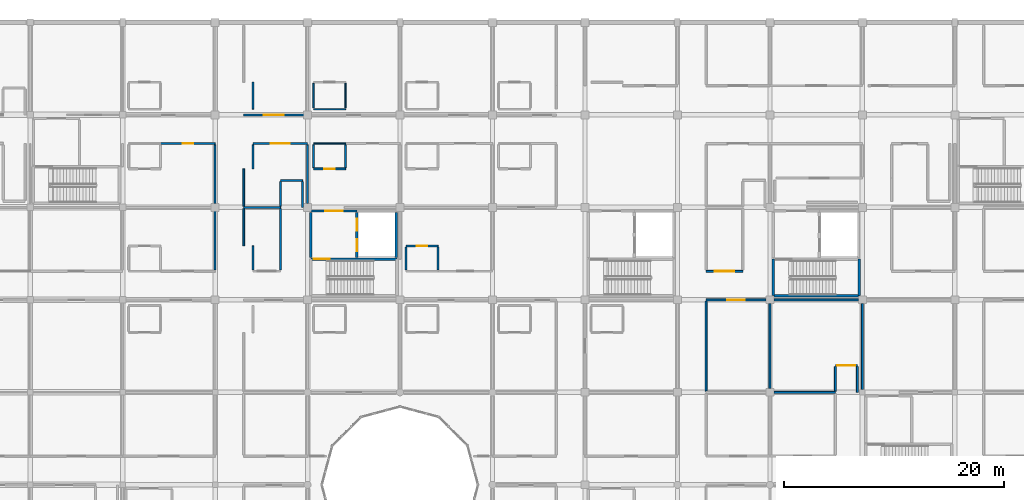
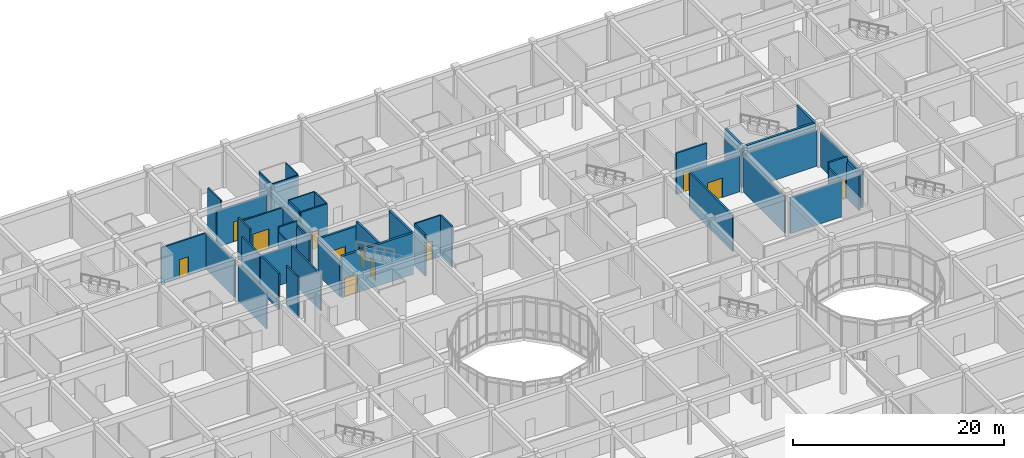
# One storey, part 104 of 134: 44 walls, 12 doors, 12 openings.
"""IFC4 building model written with IfcOpenShell, lengths in metres."""

from ifc_helpers import new_model, si_unit, direction, frame, frame_2d, origin, place, context, subcontext, project, spatial, rectangle, extrude, material, layer, layer_set, type_object, element, fill, save


model = new_model("IFC4")

# Units and contexts
model_context = context("Model", 3, precision=1e-05, world=origin(), true_north=direction((0.0, 1.0)))
body_context = subcontext(model_context, "Body", "Model", "MODEL_VIEW")
ifc_project = project(units=[si_unit("LENGTHUNIT", "METRE"), si_unit("AREAUNIT", "SQUARE_METRE"), si_unit("VOLUMEUNIT", "CUBIC_METRE"), si_unit("PLANEANGLEUNIT", "RADIAN"), si_unit("MASSUNIT", "GRAM", prefix="KILO")], contexts=[model_context])

# Site, building, storey
site_placement = place(None, origin())
site = spatial("IfcSite", under=ifc_project, at=site_placement, CompositionType="ELEMENT")
building_placement = place(site_placement, origin())
building = spatial("IfcBuilding", under=site, at=building_placement, Name="Bramfleet General Hospital", CompositionType="ELEMENT")
storey_placement = place(building_placement, frame((0.0, 0.0, 9.300048828125)))
storey = spatial("IfcBuildingStorey", under=building, at=storey_placement, Name="L02", CompositionType="ELEMENT", Elevation=9.300048828125)

# Wall, openings, doors
ifc_material_1 = material(Name="Concrete C35/45", Category="concrete")
ifc_layer_1 = layer(ifc_material_1, 0.205078125, Name="WT-IW-02")
ifc_layer_set_1 = layer_set([ifc_layer_1], Name="Concrete C35/45")
wall_type_1 = type_object("IfcWallType", Name="WT-IW-02", PredefinedType="PARTITIONING", material=ifc_layer_set_1)
wall_1_placement = place(storey_placement, frame((80.080078125, 96.239990234375, 0.0), z_axis=(0.0, 0.0, 1.0), x_axis=(0.0, 1.0, 0.0)))
wall_1 = element("IfcWall", 1, at=wall_1_placement, inside=storey, type_object=wall_type_1, Name="L02 C5 Lobby East Shaft Wall", PredefinedType="PARTITIONING", context=body_context, shape_type="SweptSolid", body=[
    extrude(rectangle(XDim=4.1201171875, YDim=0.205078125, at=frame_2d((2.06005859375, 0.0))), origin(), (0.0, 0.0, 1.0), 4.77001953125),
])
opening_1_placement = place(wall_1_placement, frame((0.570068359375, 0.0, 0.0)))
opening_1 = element("IfcOpeningElement", 2, at=opening_1_placement, cuts=wall_1, Name="Opening LD-PL-02-L02", PredefinedType="OPENING", context=body_context, shape_type="SweptSolid", body=[
    extrude(rectangle(XDim=1.10009765625, YDim=2.14990234375, at=frame_2d((0.550048828125, 1.074951171875))), frame((0.0, 0.112548828125, 0.0), z_axis=(0.0, -1.0, 0.0), x_axis=(1.0, 0.0, 0.0)), (0.0, 0.0, 1.0), 0.22509765625),
])
opening_2_placement = place(wall_1_placement, frame((2.449951171875, 0.0, 0.0)))
opening_2 = element("IfcOpeningElement", 3, at=opening_2_placement, cuts=wall_1, Name="Opening LD-PL-03-L02", PredefinedType="OPENING", context=body_context, shape_type="SweptSolid", body=[
    extrude(rectangle(XDim=1.10009765625, YDim=2.14990234375, at=frame_2d((0.550048828125, 1.074951171875))), frame((0.0, 0.112548828125, 0.0), z_axis=(0.0, -1.0, 0.0), x_axis=(1.0, 0.0, 0.0)), (0.0, 0.0, 1.0), 0.22509765625),
])
ifc_material_2 = material(Name="Brushed stainless steel 1.4301", Category="steel")
door_type_1 = type_object("IfcDoorType", Name="DR-LD-02", OperationType="NOTDEFINED", PredefinedType="DOOR", material=ifc_material_2)
door_1_placement = place(opening_1_placement, origin())
door_1 = element("IfcDoor", 4, at=door_1_placement, inside=storey, type_object=door_type_1, Name="L02 Lift PL-02 Sliding Landing Door", OperationType="SLIDING_TO_LEFT", OverallHeight=2.14990234375, OverallWidth=1.10009765625, PredefinedType="DOOR", context=body_context, shape_type="SweptSolid", body=[
    extrude(rectangle(XDim=1.10009765625, YDim=2.14990234375, at=frame_2d((0.550048828125, 1.074951171875))), frame((0.0, 0.02490234375, 0.0), z_axis=(0.0, -1.0, 0.0), x_axis=(1.0, 0.0, 0.0)), (0.0, 0.0, 1.0), 0.050048828125),
])
fill(opening_1, door_1)
door_2_placement = place(opening_2_placement, origin())
door_2 = element("IfcDoor", 5, at=door_2_placement, inside=storey, type_object=door_type_1, Name="L02 Lift PL-03 Sliding Landing Door", OperationType="SLIDING_TO_LEFT", OverallHeight=2.14990234375, OverallWidth=1.10009765625, PredefinedType="DOOR", context=body_context, shape_type="SweptSolid", body=[
    extrude(rectangle(XDim=1.10009765625, YDim=2.14990234375, at=frame_2d((0.550048828125, 1.074951171875))), frame((0.0, 0.02490234375, 0.0), z_axis=(0.0, -1.0, 0.0), x_axis=(1.0, 0.0, 0.0)), (0.0, 0.0, 1.0), 0.050048828125),
])
fill(opening_2, door_2)

# Walls
wall_2_placement = place(storey_placement, frame((83.64990234375, 96.239990234375, 0.0), z_axis=(0.0, 0.0, 1.0), x_axis=(0.0, 1.0, 0.0)))
element("IfcWall", 6, at=wall_2_placement, inside=storey, type_object=wall_type_1, Name="L02 C5 Lift Shaft East Wall", PredefinedType="PARTITIONING", context=body_context, shape_type="SweptSolid", body=[
    extrude(rectangle(XDim=4.1201171875, YDim=0.205078125, at=frame_2d((2.06005859375, 0.0))), origin(), (0.0, 0.0, 1.0), 4.77001953125),
])
wall_3_placement = place(storey_placement, frame((75.89990234375, 96.239990234375, 0.0), z_axis=(0.0, 0.0, 1.0), x_axis=(0.0, 1.0, 0.0)))
element("IfcWall", 7, at=wall_3_placement, inside=storey, type_object=wall_type_1, Name="L02 C5 Lobby West Compartment Wall", PredefinedType="PARTITIONING", context=body_context, shape_type="SweptSolid", body=[
    extrude(rectangle(XDim=4.1201171875, YDim=0.205078125, at=frame_2d((2.06005859375, 0.0))), origin(), (0.0, 0.0, 1.0), 4.169921875),
])

# Wall, opening, door
wall_4_placement = place(storey_placement, frame((75.89990234375, 100.47998046875, 0.0), z_axis=(0.0, 0.0, 1.0), x_axis=(1.0, 0.0, 0.0)))
wall_4 = element("IfcWall", 8, at=wall_4_placement, inside=storey, type_object=wall_type_1, Name="L02 C5 Lobby North Compartment Wall", PredefinedType="PARTITIONING", context=body_context, shape_type="SweptSolid", body=[
    extrude(rectangle(XDim=4.18017578125, YDim=0.205078125, at=frame_2d((2.090087890625, 0.0))), origin(), (0.0, 0.0, 1.0), 4.169921875),
])
opening_3_placement = place(wall_4_placement, frame((1.2900390625, 0.0, 0.0)))
opening_3 = element("IfcOpeningElement", 9, at=opening_3_placement, cuts=wall_4, Name="Opening D0062", PredefinedType="OPENING", context=body_context, shape_type="SweptSolid", body=[
    extrude(rectangle(XDim=1.60009765625, YDim=2.25, at=frame_2d((0.800048828125, 1.125))), frame((0.0, 0.112548828125, 0.0), z_axis=(0.0, -1.0, 0.0), x_axis=(1.0, 0.0, 0.0)), (0.0, 0.0, 1.0), 0.22509765625),
])
ifc_material_3 = material(Name="Stainless steel and acoustic timber leaf", Category="steel")
door_type_2 = type_object("IfcDoorType", Name="DR-D-04", OperationType="NOTDEFINED", PredefinedType="DOOR", material=ifc_material_3)
door_3_placement = place(opening_3_placement, origin())
door_3 = element("IfcDoor", 10, at=door_3_placement, inside=storey, type_object=door_type_2, Name="L02 C5 Lobby Fire Door D0062", OperationType="DOUBLE_SWING_LEFT", OverallHeight=2.25, OverallWidth=1.60009765625, PredefinedType="DOOR", context=body_context, shape_type="SweptSolid", body=[
    extrude(rectangle(XDim=1.60009765625, YDim=2.25, at=frame_2d((0.800048828125, 1.125))), frame((0.0, 0.02490234375, 0.0), z_axis=(0.0, -1.0, 0.0), x_axis=(1.0, 0.0, 0.0)), (0.0, 0.0, 1.0), 0.050048828125),
])
fill(opening_3, door_3)

# Wall
ifc_layer_2 = layer(ifc_material_1, 0.179931640625, Name="WT-IW-04")
ifc_layer_set_2 = layer_set([ifc_layer_2], Name="Concrete C35/45")
wall_type_2 = type_object("IfcWallType", Name="WT-IW-04", PredefinedType="PARTITIONING", material=ifc_layer_set_2)
wall_5_placement = place(storey_placement, frame((117.945068359375, 84.0, 0.0), z_axis=(0.0, 0.0, 1.0), x_axis=(1.0, 0.0, 0.0)))
element("IfcWall", 11, at=wall_5_placement, inside=storey, type_object=wall_type_2, Name="L02 Interior Partition IW-L02-2060", PredefinedType="PARTITIONING", context=body_context, shape_type="SweptSolid", body=[
    extrude(rectangle(XDim=5.60498046875, YDim=0.179931640625, at=frame_2d((2.802490234375, 0.0))), origin(), (0.0, 0.0, 1.0), 4.169921875),
])

# Wall, opening, door
wall_6_placement = place(storey_placement, frame((123.550048828125, 86.449951171875, 0.0), z_axis=(0.0, 0.0, 1.0), x_axis=(1.0, 0.0, 0.0)))
wall_6 = element("IfcWall", 12, at=wall_6_placement, inside=storey, type_object=wall_type_2, Name="L02 Interior Partition IW-L02-2064", PredefinedType="PARTITIONING", context=body_context, shape_type="SweptSolid", body=[
    extrude(rectangle(XDim=2.0, YDim=0.179931640625, at=frame_2d((1.0, 0.0))), origin(), (0.0, 0.0, 1.0), 4.77001953125),
])
opening_4_placement = place(wall_6_placement, frame((0.179931640625, 0.0, 0.0)))
opening_4 = element("IfcOpeningElement", 13, at=opening_4_placement, cuts=wall_6, Name="Opening D0978", PredefinedType="OPENING", context=body_context, shape_type="SweptSolid", body=[
    extrude(rectangle(XDim=1.639892578125, YDim=2.280029296875, at=frame_2d((0.81982421875, 1.14013671875))), frame((0.0, 0.099853515625, 0.0), z_axis=(0.0, -1.0, 0.0), x_axis=(1.0, 0.0, 0.0)), (0.0, 0.0, 1.0), 0.199951171875),
])
door_type_3 = type_object("IfcDoorType", Name="DR-D-18", OperationType="NOTDEFINED", PredefinedType="DOOR", material=ifc_material_3)
door_4_placement = place(opening_4_placement, origin())
door_4 = element("IfcDoor", 14, at=door_4_placement, inside=storey, type_object=door_type_3, Name="Interventional Cardiology Cath Lab L02-1410 Door D0978", OperationType="DOUBLE_SWING_LEFT", OverallHeight=2.280029296875, OverallWidth=1.639892578125, PredefinedType="DOOR", context=body_context, shape_type="SweptSolid", body=[
    extrude(rectangle(XDim=1.639892578125, YDim=2.280029296875, at=frame_2d((0.81982421875, 1.14013671875))), frame((0.0, 0.02490234375, 0.0), z_axis=(0.0, -1.0, 0.0), x_axis=(1.0, 0.0, 0.0)), (0.0, 0.0, 1.0), 0.050048828125),
])
fill(opening_4, door_4)

wall_7_placement = place(storey_placement, frame((111.800048828125, 92.39990234375, 0.0), z_axis=(0.0, 0.0, 1.0), x_axis=(1.0, 0.0, 0.0)))
wall_7 = element("IfcWall", 15, at=wall_7_placement, inside=storey, type_object=wall_type_2, Name="L02 Interior Partition IW-L02-2088", PredefinedType="PARTITIONING", context=body_context, shape_type="SweptSolid", body=[
    extrude(rectangle(XDim=5.454833984375, YDim=0.179931640625, at=frame_2d((2.7275390625, 0.0))), origin(), (0.0, 0.0, 1.0), 4.169921875),
])
opening_5_placement = place(wall_7_placement, frame((1.927490234375, 0.0, 0.0)))
opening_5 = element("IfcOpeningElement", 16, at=opening_5_placement, cuts=wall_7, Name="Opening D0964", PredefinedType="OPENING", context=body_context, shape_type="SweptSolid", body=[
    extrude(rectangle(XDim=1.60009765625, YDim=2.25, at=frame_2d((0.800048828125, 1.125))), frame((0.0, 0.099853515625, 0.0), z_axis=(0.0, -1.0, 0.0), x_axis=(1.0, 0.0, 0.0)), (0.0, 0.0, 1.0), 0.199951171875),
])
door_5_placement = place(opening_5_placement, origin())
door_5 = element("IfcDoor", 17, at=door_5_placement, inside=storey, type_object=door_type_2, Name="Interventional Cardiology Cath Lab L02-1310 Door D0964", OperationType="DOUBLE_SWING_LEFT", OverallHeight=2.25, OverallWidth=1.60009765625, PredefinedType="DOOR", context=body_context, shape_type="SweptSolid", body=[
    extrude(rectangle(XDim=1.60009765625, YDim=2.25, at=frame_2d((0.800048828125, 1.125))), frame((0.0, 0.02490234375, 0.0), z_axis=(0.0, -1.0, 0.0), x_axis=(1.0, 0.0, 0.0)), (0.0, 0.0, 1.0), 0.050048828125),
])
fill(opening_5, door_5)

# Wall
wall_8_placement = place(storey_placement, frame((117.945068359375, 92.39990234375, 0.0), z_axis=(0.0, 0.0, 1.0), x_axis=(1.0, 0.0, 0.0)))
element("IfcWall", 18, at=wall_8_placement, inside=storey, type_object=wall_type_2, Name="L02 Interior Partition IW-L02-2089", PredefinedType="PARTITIONING", context=body_context, shape_type="SweptSolid", body=[
    extrude(rectangle(XDim=7.7099609375, YDim=0.179931640625, at=frame_2d((3.85498046875, 0.0))), origin(), (0.0, 0.0, 1.0), 4.169921875),
])

# Wall, opening, door
wall_9_placement = place(storey_placement, frame((111.800048828125, 95.0, 0.0), z_axis=(0.0, 0.0, 1.0), x_axis=(1.0, 0.0, 0.0)))
wall_9 = element("IfcWall", 19, at=wall_9_placement, inside=storey, type_object=wall_type_2, Name="L02 Interior Partition IW-L02-2107", PredefinedType="PARTITIONING", context=body_context, shape_type="SweptSolid", body=[
    extrude(rectangle(XDim=3.349853515625, YDim=0.179931640625, at=frame_2d((1.6748046875, 0.0))), origin(), (0.0, 0.0, 1.0), 4.77001953125),
])
opening_6_placement = place(wall_9_placement, frame((0.77490234375, 0.0, 0.0)))
opening_6 = element("IfcOpeningElement", 20, at=opening_6_placement, cuts=wall_9, Name="Opening D0965", PredefinedType="OPENING", context=body_context, shape_type="SweptSolid", body=[
    extrude(rectangle(XDim=1.800048828125, YDim=2.25, at=frame_2d((0.89990234375, 1.125))), frame((0.0, 0.099853515625, 0.0), z_axis=(0.0, -1.0, 0.0), x_axis=(1.0, 0.0, 0.0)), (0.0, 0.0, 1.0), 0.199951171875),
])
door_type_4 = type_object("IfcDoorType", Name="DR-D-05", OperationType="NOTDEFINED", PredefinedType="DOOR", material=ifc_material_3)
door_6_placement = place(opening_6_placement, origin())
door_6 = element("IfcDoor", 21, at=door_6_placement, inside=storey, type_object=door_type_4, Name="Interventional Cardiology Cath Lab L02-1311 Door D0965", OperationType="DOUBLE_SWING_RIGHT", OverallHeight=2.25, OverallWidth=1.800048828125, PredefinedType="DOOR", context=body_context, shape_type="SweptSolid", body=[
    extrude(rectangle(XDim=1.800048828125, YDim=2.25, at=frame_2d((0.89990234375, 1.125))), frame((0.0, 0.02490234375, 0.0), z_axis=(0.0, -1.0, 0.0), x_axis=(1.0, 0.0, 0.0)), (0.0, 0.0, 1.0), 0.050048828125),
])
fill(opening_6, door_6)

# Walls
wall_10_placement = place(storey_placement, frame((111.800048828125, 84.114990234375, 0.0), z_axis=(0.0, 0.0, 1.0), x_axis=(0.0, 1.0, 0.0)))
element("IfcWall", 22, at=wall_10_placement, inside=storey, type_object=wall_type_2, Name="L02 Interior Partition IW-L02-2375", PredefinedType="PARTITIONING", context=body_context, shape_type="SweptSolid", body=[
    extrude(rectangle(XDim=8.169921875, YDim=0.179931640625, at=frame_2d((4.0849609375, 0.0))), origin(), (0.0, 0.0, 1.0), 4.169921875),
])
wall_11_placement = place(storey_placement, frame((117.60009765625, 84.344970703125, 0.0), z_axis=(0.0, 0.0, 1.0), x_axis=(0.0, 1.0, 0.0)))
element("IfcWall", 23, at=wall_11_placement, inside=storey, type_object=wall_type_2, Name="L02 Interior Partition IW-L02-2392", PredefinedType="PARTITIONING", context=body_context, shape_type="SweptSolid", body=[
    extrude(rectangle(XDim=7.7099609375, YDim=0.179931640625, at=frame_2d((3.85498046875, 0.0))), origin(), (0.0, 0.0, 1.0), 4.169921875),
])
wall_12_placement = place(storey_placement, frame((123.550048828125, 84.114990234375, 0.0), z_axis=(0.0, 0.0, 1.0), x_axis=(0.0, 1.0, 0.0)))
element("IfcWall", 24, at=wall_12_placement, inside=storey, type_object=wall_type_2, Name="L02 Interior Partition IW-L02-2397", PredefinedType="PARTITIONING", context=body_context, shape_type="SweptSolid", body=[
    extrude(rectangle(XDim=2.219970703125, YDim=0.179931640625, at=frame_2d((1.10986328125, 0.0))), origin(), (0.0, 0.0, 1.0), 4.169921875),
])
wall_13_placement = place(storey_placement, frame((125.550048828125, 84.0, 0.0), z_axis=(0.0, 0.0, 1.0), x_axis=(0.0, 1.0, 0.0)))
element("IfcWall", 25, at=wall_13_placement, inside=storey, type_object=wall_type_2, Name="L02 Interior Partition IW-L02-2398", PredefinedType="PARTITIONING", context=body_context, shape_type="SweptSolid", body=[
    extrude(rectangle(XDim=2.3349609375, YDim=0.179931640625, at=frame_2d((1.16748046875, 0.0))), origin(), (0.0, 0.0, 1.0), 4.169921875),
])
wall_14_placement = place(storey_placement, frame((126.0, 84.2451171875, 0.0), z_axis=(0.0, 0.0, 1.0), x_axis=(0.0, 1.0, 0.0)))
element("IfcWall", 26, at=wall_14_placement, inside=storey, type_object=wall_type_2, Name="L02 Interior Partition IW-L02-2406", PredefinedType="PARTITIONING", context=body_context, shape_type="SweptSolid", body=[
    extrude(rectangle(XDim=7.809814453125, YDim=0.179931640625, at=frame_2d((3.90478515625, 0.0))), origin(), (0.0, 0.0, 1.0), 4.169921875),
])

# Wall, opening, door
ifc_material_4 = material(Name="Gypsum plasterboard on acoustic steel studs", Category="steel")
ifc_layer_3 = layer(ifc_material_4, 0.159912109375, Name="WT-IW-06")
ifc_layer_set_3 = layer_set([ifc_layer_3], Name="Gypsum plasterboard on acoustic steel studs")
wall_type_3 = type_object("IfcWallType", Name="WT-IW-06", PredefinedType="PARTITIONING", material=ifc_layer_set_3)
wall_15_placement = place(storey_placement, frame((84.550048828125, 97.300048828125, 0.0), z_axis=(0.0, 0.0, 1.0), x_axis=(1.0, 0.0, 0.0)))
wall_15 = element("IfcWall", 27, at=wall_15_placement, inside=storey, type_object=wall_type_3, Name="L02 Interior Partition IW-L02-2114", PredefinedType="PARTITIONING", context=body_context, shape_type="SweptSolid", body=[
    extrude(rectangle(XDim=2.89990234375, YDim=0.159912109375, at=frame_2d((1.449951171875, 0.0))), origin(), (0.0, 0.0, 1.0), 4.77001953125),
])
opening_7_placement = place(wall_15_placement, frame((0.97509765625, 0.0, 0.0)))
opening_7 = element("IfcOpeningElement", 28, at=opening_7_placement, cuts=wall_15, Name="Opening D0932", PredefinedType="OPENING", context=body_context, shape_type="SweptSolid", body=[
    extrude(rectangle(XDim=0.949951171875, YDim=2.10009765625, at=frame_2d((0.47509765625, 1.050048828125))), frame((0.0, 0.08984375, 0.0), z_axis=(0.0, -1.0, 0.0), x_axis=(1.0, 0.0, 0.0)), (0.0, 0.0, 1.0), 0.179931640625),
])
door_type_5 = type_object("IfcDoorType", Name="DR-D-10", OperationType="NOTDEFINED", PredefinedType="DOOR", material=ifc_material_3)
door_7_placement = place(opening_7_placement, origin())
door_7 = element("IfcDoor", 29, at=door_7_placement, inside=storey, type_object=door_type_5, Name="Intensive Care En-Suite WC L02-1011 Door D0932", OperationType="SINGLE_SWING_LEFT", OverallHeight=2.10009765625, OverallWidth=0.949951171875, PredefinedType="DOOR", context=body_context, shape_type="SweptSolid", body=[
    extrude(rectangle(XDim=0.949951171875, YDim=2.10009765625, at=frame_2d((0.47509765625, 1.050048828125))), frame((0.0, 0.02490234375, 0.0), z_axis=(0.0, -1.0, 0.0), x_axis=(1.0, 0.0, 0.0)), (0.0, 0.0, 1.0), 0.050048828125),
])
fill(opening_7, door_7)

# Walls
wall_16_placement = place(storey_placement, frame((69.800048828125, 100.800048828125, 0.0), z_axis=(0.0, 0.0, 1.0), x_axis=(1.0, 0.0, 0.0)))
element("IfcWall", 30, at=wall_16_placement, inside=storey, type_object=wall_type_3, Name="L02 Interior Partition IW-L02-2124", PredefinedType="PARTITIONING", context=body_context, shape_type="SweptSolid", body=[
    extrude(rectangle(XDim=3.349853515625, YDim=0.159912109375, at=frame_2d((1.6748046875, 0.0))), origin(), (0.0, 0.0, 1.0), 4.169921875),
])
wall_17_placement = place(storey_placement, frame((73.14990234375, 103.25, 0.0), z_axis=(0.0, 0.0, 1.0), x_axis=(1.0, 0.0, 0.0)))
element("IfcWall", 31, at=wall_17_placement, inside=storey, type_object=wall_type_3, Name="L02 Interior Partition IW-L02-2139", PredefinedType="PARTITIONING", context=body_context, shape_type="SweptSolid", body=[
    extrude(rectangle(XDim=2.0, YDim=0.159912109375, at=frame_2d((1.0, 0.0))), origin(), (0.0, 0.0, 1.0), 4.77001953125),
])

# Wall, opening, door
wall_18_placement = place(storey_placement, frame((76.14990234375, 104.300048828125, 0.0), z_axis=(0.0, 0.0, 1.0), x_axis=(1.0, 0.0, 0.0)))
wall_18 = element("IfcWall", 32, at=wall_18_placement, inside=storey, type_object=wall_type_3, Name="L02 Interior Partition IW-L02-2143", PredefinedType="PARTITIONING", context=body_context, shape_type="SweptSolid", body=[
    extrude(rectangle(XDim=2.900146484375, YDim=0.159912109375, at=frame_2d((1.4501953125, 0.0))), origin(), (0.0, 0.0, 1.0), 4.77001953125),
])
opening_8_placement = place(wall_18_placement, frame((0.97509765625, 0.0, 0.0)))
opening_8 = element("IfcOpeningElement", 33, at=opening_8_placement, cuts=wall_18, Name="Opening D0923", PredefinedType="OPENING", context=body_context, shape_type="SweptSolid", body=[
    extrude(rectangle(XDim=0.949951171875, YDim=2.10009765625, at=frame_2d((0.47509765625, 1.050048828125))), frame((0.0, 0.08984375, 0.0), z_axis=(0.0, -1.0, 0.0), x_axis=(1.0, 0.0, 0.0)), (0.0, 0.0, 1.0), 0.179931640625),
])
door_8_placement = place(opening_8_placement, origin())
door_8 = element("IfcDoor", 34, at=door_8_placement, inside=storey, type_object=door_type_5, Name="Intensive Care En-Suite WC L02-0912 Door D0923", OperationType="SINGLE_SWING_LEFT", OverallHeight=2.10009765625, OverallWidth=0.949951171875, PredefinedType="DOOR", context=body_context, shape_type="SweptSolid", body=[
    extrude(rectangle(XDim=0.949951171875, YDim=2.10009765625, at=frame_2d((0.47509765625, 1.050048828125))), frame((0.0, 0.02490234375, 0.0), z_axis=(0.0, -1.0, 0.0), x_axis=(1.0, 0.0, 0.0)), (0.0, 0.0, 1.0), 0.050048828125),
])
fill(opening_8, door_8)

wall_19_placement = place(storey_placement, frame((62.25, 106.60009765625, 0.0), z_axis=(0.0, 0.0, 1.0), x_axis=(1.0, 0.0, 0.0)))
wall_19 = element("IfcWall", 35, at=wall_19_placement, inside=storey, type_object=wall_type_3, Name="L02 Interior Partition IW-L02-2152", PredefinedType="PARTITIONING", context=body_context, shape_type="SweptSolid", body=[
    extrude(rectangle(XDim=4.949951171875, YDim=0.159912109375, at=frame_2d((2.47509765625, 0.0))), origin(), (0.0, 0.0, 1.0), 4.169921875),
])
opening_9_placement = place(wall_19_placement, frame((2.0, 0.0, 0.0)))
opening_9 = element("IfcOpeningElement", 36, at=opening_9_placement, cuts=wall_19, Name="Opening D0906", PredefinedType="OPENING", context=body_context, shape_type="SweptSolid", body=[
    extrude(rectangle(XDim=0.949951171875, YDim=2.10009765625, at=frame_2d((0.47509765625, 1.050048828125))), frame((0.0, 0.08984375, 0.0), z_axis=(0.0, -1.0, 0.0), x_axis=(1.0, 0.0, 0.0)), (0.0, 0.0, 1.0), 0.179931640625),
])
door_9_placement = place(opening_9_placement, origin())
door_9 = element("IfcDoor", 37, at=door_9_placement, inside=storey, type_object=door_type_5, Name="Intensive Care Unit Room L02-0712 Door D0906", OperationType="SINGLE_SWING_LEFT", OverallHeight=2.10009765625, OverallWidth=0.949951171875, PredefinedType="DOOR", context=body_context, shape_type="SweptSolid", body=[
    extrude(rectangle(XDim=0.949951171875, YDim=2.10009765625, at=frame_2d((0.47509765625, 1.050048828125))), frame((0.0, 0.02490234375, 0.0), z_axis=(0.0, -1.0, 0.0), x_axis=(1.0, 0.0, 0.0)), (0.0, 0.0, 1.0), 0.050048828125),
])
fill(opening_9, door_9)

wall_20_placement = place(storey_placement, frame((70.64990234375, 106.60009765625, 0.0), z_axis=(0.0, 0.0, 1.0), x_axis=(1.0, 0.0, 0.0)))
wall_20 = element("IfcWall", 38, at=wall_20_placement, inside=storey, type_object=wall_type_3, Name="L02 Interior Partition IW-L02-2153", PredefinedType="PARTITIONING", context=body_context, shape_type="SweptSolid", body=[
    extrude(rectangle(XDim=4.9501953125, YDim=0.159912109375, at=frame_2d((2.47509765625, 0.0))), origin(), (0.0, 0.0, 1.0), 4.169921875),
])
opening_10_placement = place(wall_20_placement, frame((1.60498046875, 0.0, 0.0)))
opening_10 = element("IfcOpeningElement", 39, at=opening_10_placement, cuts=wall_20, Name="Opening D0915", PredefinedType="OPENING", context=body_context, shape_type="SweptSolid", body=[
    extrude(rectangle(XDim=1.739990234375, YDim=2.239990234375, at=frame_2d((0.8701171875, 1.1201171875))), frame((0.0, 0.08984375, 0.0), z_axis=(0.0, -1.0, 0.0), x_axis=(1.0, 0.0, 0.0)), (0.0, 0.0, 1.0), 0.179931640625),
])
door_type_6 = type_object("IfcDoorType", Name="DR-D-19", OperationType="NOTDEFINED", PredefinedType="DOOR", material=ifc_material_3)
door_10_placement = place(opening_10_placement, origin())
door_10 = element("IfcDoor", 40, at=door_10_placement, inside=storey, type_object=door_type_6, Name="Intensive Care Unit Room L02-0812 Door D0915", OperationType="DOUBLE_SWING_RIGHT", OverallHeight=2.239990234375, OverallWidth=1.739990234375, PredefinedType="DOOR", context=body_context, shape_type="SweptSolid", body=[
    extrude(rectangle(XDim=1.739990234375, YDim=2.239990234375, at=frame_2d((0.8701171875, 1.1201171875))), frame((0.0, 0.02490234375, 0.0), z_axis=(0.0, -1.0, 0.0), x_axis=(1.0, 0.0, 0.0)), (0.0, 0.0, 1.0), 0.050048828125),
])
fill(opening_10, door_10)

wall_21_placement = place(storey_placement, frame((69.800048828125, 109.199951171875, 0.0), z_axis=(0.0, 0.0, 1.0), x_axis=(1.0, 0.0, 0.0)))
wall_21 = element("IfcWall", 41, at=wall_21_placement, inside=storey, type_object=wall_type_3, Name="L02 Interior Partition IW-L02-2174", PredefinedType="PARTITIONING", context=body_context, shape_type="SweptSolid", body=[
    extrude(rectangle(XDim=5.454833984375, YDim=0.159912109375, at=frame_2d((2.7275390625, 0.0))), origin(), (0.0, 0.0, 1.0), 4.169921875),
])
opening_11_placement = place(wall_21_placement, frame((1.8076171875, 0.0, 0.0)))
opening_11 = element("IfcOpeningElement", 42, at=opening_11_placement, cuts=wall_21, Name="Opening D0916", PredefinedType="OPENING", context=body_context, shape_type="SweptSolid", body=[
    extrude(rectangle(XDim=1.840087890625, YDim=2.280029296875, at=frame_2d((0.919921875, 1.14013671875))), frame((0.0, 0.08984375, 0.0), z_axis=(0.0, -1.0, 0.0), x_axis=(1.0, 0.0, 0.0)), (0.0, 0.0, 1.0), 0.179931640625),
])
door_type_7 = type_object("IfcDoorType", Name="DR-D-20", OperationType="NOTDEFINED", PredefinedType="DOOR", material=ifc_material_3)
door_11_placement = place(opening_11_placement, origin())
door_11 = element("IfcDoor", 43, at=door_11_placement, inside=storey, type_object=door_type_7, Name="Intensive Care Unit Room L02-0813 Door D0916", OperationType="DOUBLE_SWING_LEFT", OverallHeight=2.280029296875, OverallWidth=1.840087890625, PredefinedType="DOOR", context=body_context, shape_type="SweptSolid", body=[
    extrude(rectangle(XDim=1.840087890625, YDim=2.280029296875, at=frame_2d((0.919921875, 1.14013671875))), frame((0.0, 0.02490234375, 0.0), z_axis=(0.0, -1.0, 0.0), x_axis=(1.0, 0.0, 0.0)), (0.0, 0.0, 1.0), 0.050048828125),
])
fill(opening_11, door_11)

# Walls
for number, where, z_axis, x_axis, name in (
    (44, (67.199951171875, 95.114990234375, 0.0), (0.0, 0.0, 1.0), (0.0, 1.0, 0.0), "L02 Interior Partition IW-L02-2290"),
    (45, (67.199951171875, 101.14501953125, 0.0), (0.0, 0.0, 1.0), (0.0, 1.0, 0.0), "L02 Interior Partition IW-L02-2291"),
):
    element("IfcWall", number, at=place(storey_placement, frame(where, z_axis=z_axis, x_axis=x_axis)), inside=storey, type_object=wall_type_3, Name=name, PredefinedType="PARTITIONING", context=body_context, shape_type="SweptSolid", body=[
        extrude(rectangle(XDim=5.340087890625, YDim=0.159912109375, at=frame_2d((2.669921875, 0.0))), origin(), (0.0, 0.0, 1.0), 4.169921875),
    ])
for number, where, z_axis, x_axis, name in (
    (46, (69.800048828125, 97.300048828125, 0.0), (0.0, 0.0, 1.0), (0.0, 1.0, 0.0), "L02 Interior Partition IW-L02-2297"),
    (47, (69.800048828125, 100.9150390625, 0.0), (0.0, 0.0, 1.0), (0.0, 1.0, 0.0), "L02 Interior Partition IW-L02-2298"),
):
    element("IfcWall", number, at=place(storey_placement, frame(where, z_axis=z_axis, x_axis=x_axis)), inside=storey, type_object=wall_type_3, Name=name, PredefinedType="PARTITIONING", context=body_context, shape_type="SweptSolid", body=[
        extrude(rectangle(XDim=3.385009765625, YDim=0.159912109375, at=frame_2d((1.6923828125, 0.0))), origin(), (0.0, 0.0, 1.0), 4.169921875),
    ])
for number, where, z_axis, x_axis, name in (
    (48, (70.64990234375, 95.114990234375, 0.0), (0.0, 0.0, 1.0), (0.0, 1.0, 0.0), "L02 Interior Partition IW-L02-2301"),
    (49, (70.64990234375, 104.300048828125, 0.0), (0.0, 0.0, 1.0), (0.0, 1.0, 0.0), "L02 Interior Partition IW-L02-2302"),
):
    element("IfcWall", number, at=place(storey_placement, frame(where, z_axis=z_axis, x_axis=x_axis)), inside=storey, type_object=wall_type_3, Name=name, PredefinedType="PARTITIONING", context=body_context, shape_type="SweptSolid", body=[
        extrude(rectangle(XDim=2.18505859375, YDim=0.159912109375, at=frame_2d((1.092529296875, 0.0))), origin(), (0.0, 0.0, 1.0), 4.77001953125),
    ])
wall_22_placement = place(storey_placement, frame((70.64990234375, 109.719970703125, 0.0), z_axis=(0.0, 0.0, 1.0), x_axis=(0.0, 1.0, 0.0)))
element("IfcWall", 50, at=wall_22_placement, inside=storey, type_object=wall_type_3, Name="L02 Interior Partition IW-L02-2303", PredefinedType="PARTITIONING", context=body_context, shape_type="SweptSolid", body=[
    extrude(rectangle(XDim=2.449951171875, YDim=0.159912109375, at=frame_2d((1.22509765625, 0.0))), origin(), (0.0, 0.0, 1.0), 4.77001953125),
])
wall_23_placement = place(storey_placement, frame((73.14990234375, 95.114990234375, 0.0), z_axis=(0.0, 0.0, 1.0), x_axis=(0.0, 1.0, 0.0)))
element("IfcWall", 51, at=wall_23_placement, inside=storey, type_object=wall_type_3, Name="L02 Interior Partition IW-L02-2304", PredefinedType="PARTITIONING", context=body_context, shape_type="SweptSolid", body=[
    extrude(rectangle(XDim=5.570068359375, YDim=0.159912109375, at=frame_2d((2.78515625, 0.0))), origin(), (0.0, 0.0, 1.0), 4.169921875),
])
wall_24_placement = place(storey_placement, frame((73.14990234375, 100.9150390625, 0.0), z_axis=(0.0, 0.0, 1.0), x_axis=(0.0, 1.0, 0.0)))
element("IfcWall", 52, at=wall_24_placement, inside=storey, type_object=wall_type_3, Name="L02 Interior Partition IW-L02-2305", PredefinedType="PARTITIONING", context=body_context, shape_type="SweptSolid", body=[
    extrude(rectangle(XDim=2.219970703125, YDim=0.159912109375, at=frame_2d((1.10986328125, 0.0))), origin(), (0.0, 0.0, 1.0), 4.169921875),
])
wall_25_placement = place(storey_placement, frame((75.14990234375, 100.800048828125, 0.0), z_axis=(0.0, 0.0, 1.0), x_axis=(0.0, 1.0, 0.0)))
element("IfcWall", 53, at=wall_25_placement, inside=storey, type_object=wall_type_3, Name="L02 Interior Partition IW-L02-2306", PredefinedType="PARTITIONING", context=body_context, shape_type="SweptSolid", body=[
    extrude(rectangle(XDim=2.3349609375, YDim=0.159912109375, at=frame_2d((1.16748046875, 0.0))), origin(), (0.0, 0.0, 1.0), 4.169921875),
])
wall_26_placement = place(storey_placement, frame((75.60009765625, 101.14501953125, 0.0), z_axis=(0.0, 0.0, 1.0), x_axis=(0.0, 1.0, 0.0)))
element("IfcWall", 54, at=wall_26_placement, inside=storey, type_object=wall_type_3, Name="L02 Interior Partition IW-L02-2311", PredefinedType="PARTITIONING", context=body_context, shape_type="SweptSolid", body=[
    extrude(rectangle(XDim=5.340087890625, YDim=0.159912109375, at=frame_2d((2.669921875, 0.0))), origin(), (0.0, 0.0, 1.0), 4.169921875),
])
for number, where, z_axis, x_axis, name in (
    (55, (76.14990234375, 104.4150390625, 0.0), (0.0, 0.0, 1.0), (0.0, 1.0, 0.0), "L02 Interior Partition IW-L02-2314"),
    (56, (79.050048828125, 104.4150390625, 0.0), (0.0, 0.0, 1.0), (0.0, 1.0, 0.0), "L02 Interior Partition IW-L02-2317"),
    (57, (84.550048828125, 95.114990234375, 0.0), (0.0, 0.0, 1.0), (0.0, 1.0, 0.0), "L02 Interior Partition IW-L02-2325"),
    (58, (87.449951171875, 95.114990234375, 0.0), (0.0, 0.0, 1.0), (0.0, 1.0, 0.0), "L02 Interior Partition IW-L02-2329"),
):
    element("IfcWall", number, at=place(storey_placement, frame(where, z_axis=z_axis, x_axis=x_axis)), inside=storey, type_object=wall_type_3, Name=name, PredefinedType="PARTITIONING", context=body_context, shape_type="SweptSolid", body=[
        extrude(rectangle(XDim=2.070068359375, YDim=0.159912109375, at=frame_2d((1.03515625, 0.0))), origin(), (0.0, 0.0, 1.0), 4.77001953125),
    ])
ifc_layer_4 = layer(ifc_material_4, 0.1201171875, Name="WT-IW-10")
ifc_layer_set_4 = layer_set([ifc_layer_4], Name="Gypsum plasterboard on acoustic steel studs")
wall_type_4 = type_object("IfcWallType", Name="WT-IW-10", PredefinedType="PARTITIONING", material=ifc_layer_set_4)
for number, where, z_axis, x_axis, name in (
    (59, (76.14990234375, 106.60009765625, 0.0), (0.0, 0.0, 1.0), (1.0, 0.0, 0.0), "L02 Interior Partition IW-L02-2154"),
    (60, (76.14990234375, 109.719970703125, 0.0), (0.0, 0.0, 1.0), (1.0, 0.0, 0.0), "L02 Interior Partition IW-L02-2182"),
):
    element("IfcWall", number, at=place(storey_placement, frame(where, z_axis=z_axis, x_axis=x_axis)), inside=storey, type_object=wall_type_4, Name=name, PredefinedType="PARTITIONING", context=body_context, shape_type="SweptSolid", body=[
        extrude(rectangle(XDim=2.900146484375, YDim=0.1201171875, at=frame_2d((1.4501953125, 0.0))), origin(), (0.0, 0.0, 1.0), 4.77001953125),
    ])
for number, where, z_axis, x_axis, name in (
    (61, (76.14990234375, 109.8349609375, 0.0), (0.0, 0.0, 1.0), (0.0, 1.0, 0.0), "L02 Interior Partition IW-L02-2315"),
    (62, (79.050048828125, 109.8349609375, 0.0), (0.0, 0.0, 1.0), (0.0, 1.0, 0.0), "L02 Interior Partition IW-L02-2318"),
):
    element("IfcWall", number, at=place(storey_placement, frame(where, z_axis=z_axis, x_axis=x_axis)), inside=storey, type_object=wall_type_4, Name=name, PredefinedType="PARTITIONING", context=body_context, shape_type="SweptSolid", body=[
        extrude(rectangle(XDim=2.219970703125, YDim=0.1201171875, at=frame_2d((1.10986328125, 0.0))), origin(), (0.0, 0.0, 1.0), 4.77001953125),
    ])

# Wall, opening, door
ifc_material_5 = material(Name="Concrete C40/50", Category="concrete")
ifc_layer_5 = layer(ifc_material_5, 0.239990234375, Name="WT-SW-240")
ifc_layer_set_5 = layer_set([ifc_layer_5], Name="Concrete C40/50")
wall_type_5 = type_object("IfcWallType", Name="WT-SW-240", PredefinedType="SHEAR", material=ifc_layer_set_5)
wall_27_placement = place(storey_placement, frame((75.89990234375, 96.10009765625, 0.0), z_axis=(0.0, 0.0, 1.0), x_axis=(1.0, 0.0, 0.0)))
wall_27 = element("IfcWall", 63, at=wall_27_placement, inside=storey, type_object=wall_type_5, Name="L02 C5 Stair-Lobby Shear Wall", PredefinedType="SHEAR", context=body_context, shape_type="SweptSolid", body=[
    extrude(rectangle(XDim=7.820068359375, YDim=0.239990234375, at=frame_2d((3.91015625, 0.0))), origin(), (0.0, 0.0, 1.0), 4.780029296875),
])
opening_12_placement = place(wall_27_placement, frame((0.25, 0.0, 0.0)))
opening_12 = element("IfcOpeningElement", 64, at=opening_12_placement, cuts=wall_27, Name="Opening D0061", PredefinedType="OPENING", context=body_context, shape_type="SweptSolid", body=[
    extrude(rectangle(XDim=1.449951171875, YDim=2.199951171875, at=frame_2d((0.72509765625, 1.10009765625))), frame((0.0, 0.1298828125, 0.0), z_axis=(0.0, -1.0, 0.0), x_axis=(1.0, 0.0, 0.0)), (0.0, 0.0, 1.0), 0.260009765625),
])
door_type_8 = type_object("IfcDoorType", Name="DR-D-03", OperationType="NOTDEFINED", PredefinedType="DOOR", material=ifc_material_3)
door_12_placement = place(opening_12_placement, origin())
door_12 = element("IfcDoor", 65, at=door_12_placement, inside=storey, type_object=door_type_8, Name="L02 C5 Escape Stair Fire Door D0061", OperationType="SINGLE_SWING_RIGHT", OverallHeight=2.199951171875, OverallWidth=1.449951171875, PredefinedType="DOOR", context=body_context, shape_type="SweptSolid", body=[
    extrude(rectangle(XDim=1.449951171875, YDim=2.199951171875, at=frame_2d((0.72509765625, 1.10009765625))), frame((0.0, 0.02490234375, 0.0), z_axis=(0.0, -1.0, 0.0), x_axis=(1.0, 0.0, 0.0)), (0.0, 0.0, 1.0), 0.050048828125),
])
fill(opening_12, door_12)

# Walls
wall_28_placement = place(storey_placement, frame((117.89990234375, 92.780029296875, 0.0), z_axis=(0.0, 0.0, 1.0), x_axis=(1.0, 0.0, 0.0)))
element("IfcWall", 66, at=wall_28_placement, inside=storey, type_object=wall_type_5, Name="L02 C6 South Stair Shear Wall", PredefinedType="SHEAR", context=body_context, shape_type="SweptSolid", body=[
    extrude(rectangle(XDim=7.820068359375, YDim=0.239990234375, at=frame_2d((3.91015625, 0.0))), origin(), (0.0, 0.0, 1.0), 4.780029296875),
])
for number, where, z_axis, x_axis, name in (
    (67, (117.89990234375, 92.780029296875, 0.0), (0.0, 0.0, 1.0), (0.0, 1.0, 0.0), "L02 C6 West Stair Shear Wall"),
    (68, (125.719970703125, 92.780029296875, 0.0), (0.0, 0.0, 1.0), (0.0, 1.0, 0.0), "L02 C6 East Stair Shear Wall"),
):
    element("IfcWall", number, at=place(storey_placement, frame(where, z_axis=z_axis, x_axis=x_axis)), inside=storey, type_object=wall_type_5, Name=name, PredefinedType="SHEAR", context=body_context, shape_type="SweptSolid", body=[
        extrude(rectangle(XDim=3.320068359375, YDim=0.239990234375, at=frame_2d((1.66015625, 0.0))), origin(), (0.0, 0.0, 1.0), 4.780029296875),
    ])

save(model, "model.ifc")
